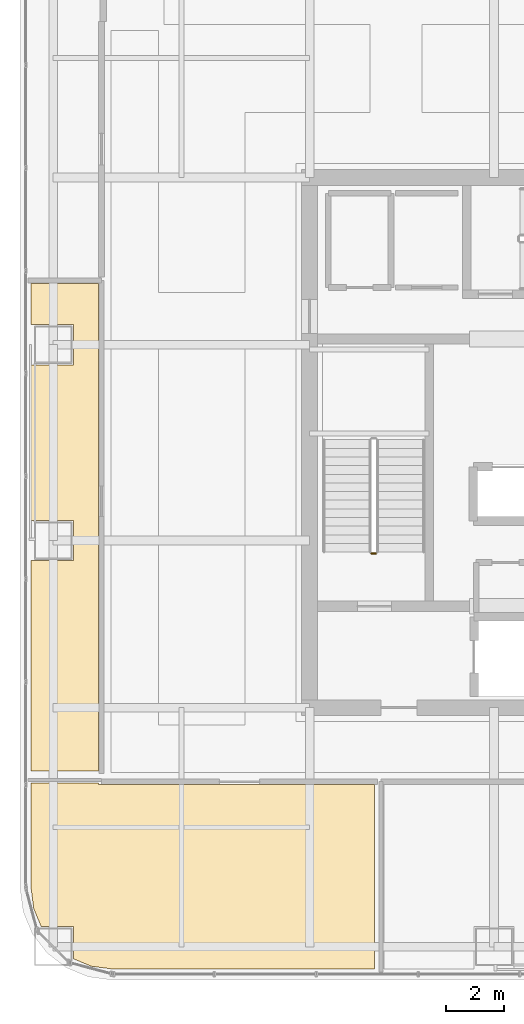
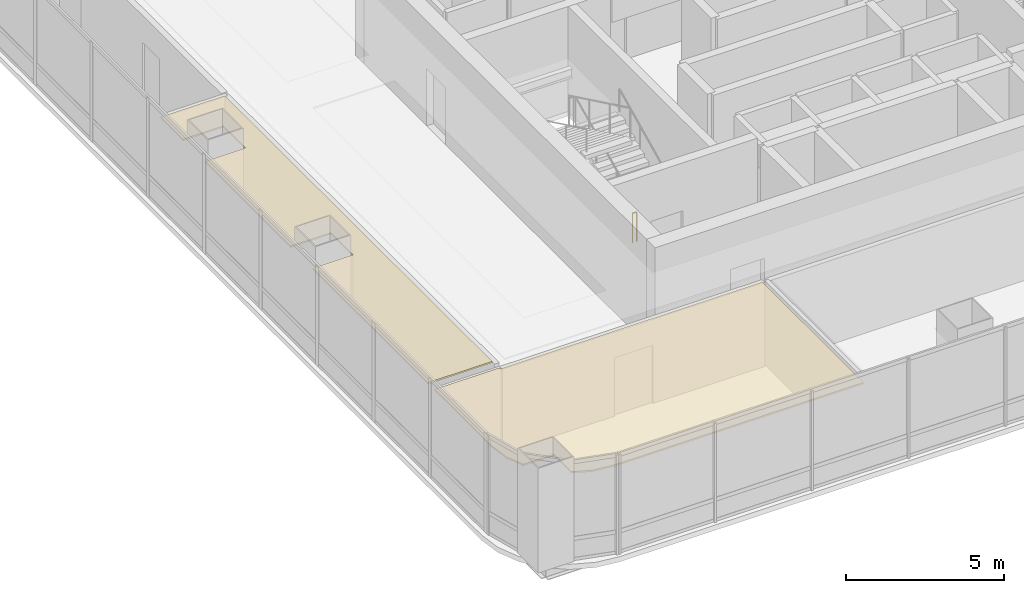
# One storey, part 37 of 42: 2 coverings, 1 railing.
"""IFC4 building model written with IfcOpenShell, lengths in metres."""

from ifc_helpers import new_model, si_unit, direction, frame, origin, origin_2d, place, context, subcontext, project, spatial, polyline, circle, outline, extrude, material, layer, layer_set, type_object, element, save


model = new_model("IFC4")

# Units and contexts
model_context = context("Model", 3, precision=1e-05, world=origin(), true_north=direction((0.0, 1.0)))
body_context = subcontext(model_context, "Body", "Model", "MODEL_VIEW")
ifc_project = project(units=[si_unit("LENGTHUNIT", "METRE"), si_unit("AREAUNIT", "SQUARE_METRE"), si_unit("VOLUMEUNIT", "CUBIC_METRE"), si_unit("PLANEANGLEUNIT", "RADIAN"), si_unit("MASSUNIT", "GRAM", prefix="KILO")], contexts=[model_context])

# Site, building, storey
site_placement = place(None, origin())
site = spatial("IfcSite", under=ifc_project, at=site_placement, CompositionType="ELEMENT")
building_placement = place(site_placement, origin())
building = spatial("IfcBuilding", under=site, at=building_placement, Name="Punatoya Terracotta Tower", CompositionType="ELEMENT")
storey_placement = place(building_placement, frame((0.0, 0.0, 259.5)))
storey = spatial("IfcBuildingStorey", under=building, at=storey_placement, Name="L61", CompositionType="ELEMENT", Elevation=259.5)

# Coverings
ifc_material_1 = material(Name="Acoustic Mineral Fibre Ceiling")
ifc_layer = layer(ifc_material_1, 0.06005859375)
ifc_layer_set = layer_set([ifc_layer], Name="Acoustic Mineral Fibre Ceiling")
covering_type = type_object("IfcCoveringType", Name="COV-CEIL-60", PredefinedType="CEILING", material=ifc_layer_set)
covering_1_placement = place(storey_placement, frame((0.0, 0.0, 3.239990234375)))
element("IfcCovering", 1, at=covering_1_placement, inside=storey, type_object=covering_type, Name="L61 Open-Plan Media Broadcast Studio Acoustic Ceiling", PredefinedType="CEILING", context=body_context, shape_type="SweptSolid", body=[
    extrude(outline(polyline([(-17.52001953125, -11.8701171875), (-17.52001953125, -11.81005859375), (-19.8701171875, -11.81005859375), (-19.8701171875, -15.425048828125), (-19.770751953125, -16.178955078125), (-19.513427734375, -16.800048828125), (-18.39990234375, -16.800048828125), (-18.39990234375, -17.91357421875), (-17.779052734375, -18.1708984375), (-17.025146484375, -18.27001953125), (-7.946044921875, -18.27001953125), (-7.946044921875, -11.8701171875), (-17.52001953125, -11.8701171875)])), origin(), (0.0, 0.0, 1.0), 0.06005859375),
])
covering_2_placement = place(storey_placement, frame((0.0, 0.0, 3.239990234375)))
element("IfcCovering", 2, at=covering_2_placement, inside=storey, type_object=covering_type, Name="L61 Open-Plan Hospitality Tea Pantry Acoustic Ceiling", PredefinedType="CEILING", context=body_context, shape_type="SweptSolid", body=[
    extrude(outline(polyline([(-19.8701171875, -4.10009765625), (-19.8701171875, -11.389892578125), (-17.52001953125, -11.389892578125), (-17.52001953125, 5.52587890625), (-19.8701171875, 5.52587890625), (-19.8701171875, 4.10009765625), (-18.39990234375, 4.10009765625), (-18.39990234375, 2.699951171875), (-19.8701171875, 2.699951171875), (-19.8701171875, -2.699951171875), (-18.39990234375, -2.699951171875), (-18.39990234375, -4.10009765625), (-19.8701171875, -4.10009765625)])), origin(), (0.0, 0.0, 1.0), 0.06005859375),
])

# Railing
ifc_material_2 = material(Name="Steel S355", Category="steel")
railing_type = type_object("IfcRailingType", Name="RLG-GRD-1150", PredefinedType="GUARDRAIL", material=ifc_material_2)
railing_placement = place(storey_placement, frame((-7.89990234375, -3.85009765625, 0.0)))
element("IfcRailing", 3, at=railing_placement, inside=storey, type_object=railing_type, Name="L61 ST-1 stair guard 4", PredefinedType="GUARDRAIL", context=body_context, shape_type="SweptSolid", body=[
    extrude(circle(Radius=0.02392578125, at=origin_2d()), frame((0.0, 0.0, 1.1259765625), z_axis=(-1.0, 0.0, 0.0), x_axis=(0.0, -1.0, 0.0)), (0.0, 0.0, 1.0), 0.150146484375),
    extrude(circle(Radius=0.02099609375, at=origin_2d()), origin(), (0.0, 0.0, 1.0), 1.101806640625),
    extrude(circle(Radius=0.02099609375, at=origin_2d()), frame((-0.150146484375, 0.0, 0.0)), (0.0, 0.0, 1.0), 1.101806640625),
])

save(model, "model.ifc")
